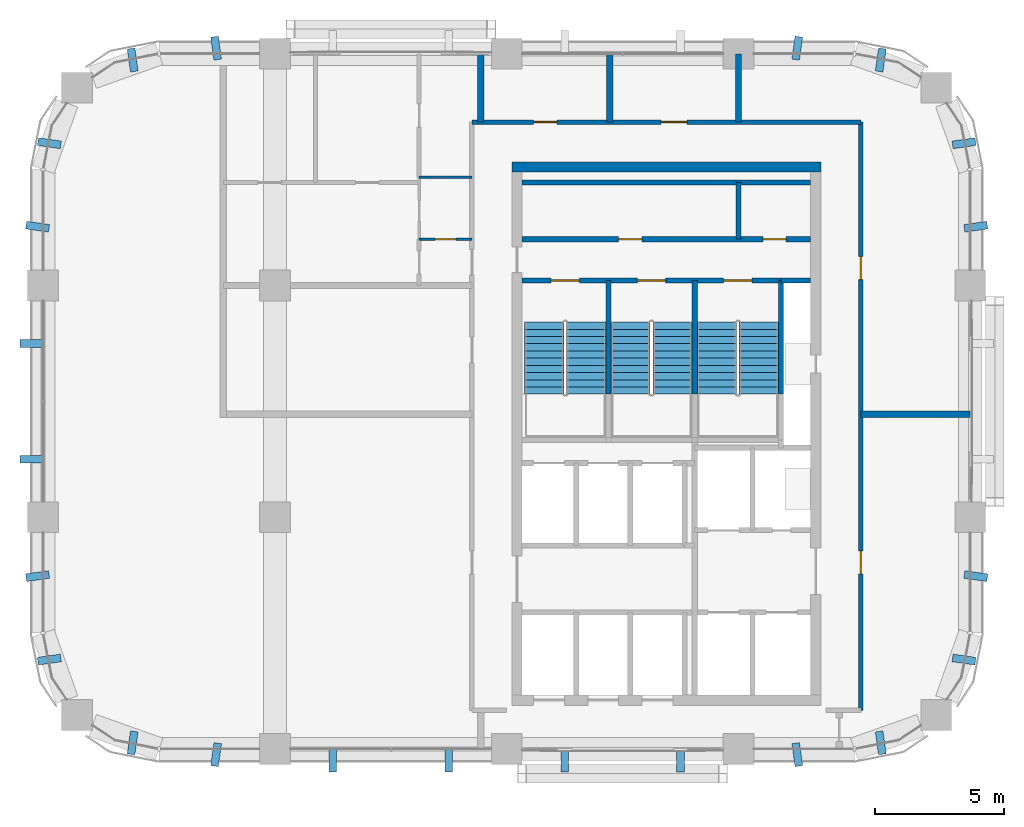
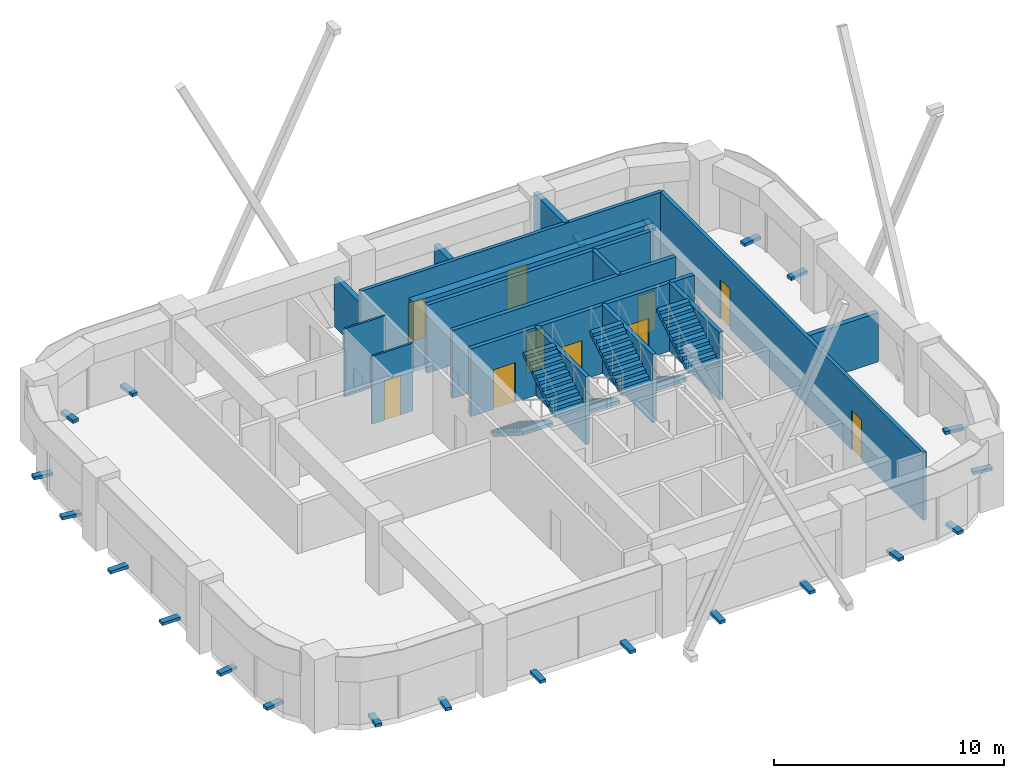
# One storey, part 8 of 10: 22 discrete accessories, 17 walls, 10 doors, 6 stair flights, 10 openings, 3 elements without a shape of their own.
"""IFC4 building model written with IfcOpenShell, lengths in metres."""

from ifc_helpers import new_model, si_unit, direction, frame, frame_2d, origin, origin_2d, place, context, subcontext, project, spatial, polyline, rectangle, outline, extrude, material, layer, layer_set, type_object, element, fill, aggregate, save


model = new_model("IFC4")

# Units and contexts
model_context = context("Model", 3, precision=1e-05, world=origin(), true_north=direction((0.0, 1.0)))
body_context = subcontext(model_context, "Body", "Model", "MODEL_VIEW")
ifc_project = project(units=[si_unit("LENGTHUNIT", "METRE"), si_unit("AREAUNIT", "SQUARE_METRE"), si_unit("VOLUMEUNIT", "CUBIC_METRE"), si_unit("PLANEANGLEUNIT", "RADIAN"), si_unit("MASSUNIT", "GRAM", prefix="KILO")], contexts=[model_context])

# Site, building, storey
site_placement = place(None, origin())
site = spatial("IfcSite", under=ifc_project, at=site_placement, CompositionType="ELEMENT")
building_placement = place(site_placement, origin())
building = spatial("IfcBuilding", under=site, at=building_placement, Name="Tessera Arch", CompositionType="ELEMENT")
storey_placement = place(building_placement, frame((0.0, 0.0, 265.699951171875)))
storey = spatial("IfcBuildingStorey", under=building, at=storey_placement, Name="L64", CompositionType="ELEMENT", Elevation=265.699951171875)

# Wall
ifc_material_1 = material(Name="Gypsum board on steel stud", Category="steel")
ifc_layer_1 = layer(ifc_material_1, 0.125)
ifc_layer_set_1 = layer_set([ifc_layer_1], Name="Core partition 125 EI 60")
wall_type_1 = type_object("IfcWallType", Name="Core partition 125 EI 60", PredefinedType="PARTITIONING", material=ifc_layer_set_1)
wall_1_placement = place(storey_placement, frame((45.0, 46.800048828125, 0.0), z_axis=(0.0, 0.0, 1.0), x_axis=(0.0, 1.0, 0.0)))
element("IfcWall", 1, at=wall_1_placement, inside=storey, type_object=wall_type_1, Name="L64 C1 partition wall 12", PredefinedType="PARTITIONING", context=body_context, shape_type="SweptSolid", body=[
    extrude(rectangle(XDim=2.199951171875, YDim=0.199951171875, at=frame_2d((1.10009765625, 0.0))), origin(), (0.0, 0.0, 1.0), 3.60009765625),
])

# Wall, openings, doors
wall_2_placement = place(storey_placement, frame((36.60009765625, 46.800048828125, 0.0), z_axis=(0.0, 0.0, 1.0), x_axis=(1.0, 0.0, 0.0)))
wall_2 = element("IfcWall", 2, at=wall_2_placement, inside=storey, type_object=wall_type_1, Name="L64 C1 partition wall 31", PredefinedType="PARTITIONING", context=body_context, shape_type="SweptSolid", body=[
    extrude(rectangle(XDim=11.199951171875, YDim=0.199951171875, at=frame_2d((5.60009765625, 0.0))), origin(), (0.0, 0.0, 1.0), 3.60009765625),
])
opening_1_placement = place(wall_2_placement, frame((3.75, 0.0, 0.0)))
opening_1 = element("IfcOpeningElement", 3, at=opening_1_placement, cuts=wall_2, Name="Opening L64-C18", PredefinedType="OPENING", context=body_context, shape_type="SweptSolid", body=[
    extrude(rectangle(XDim=0.89990234375, YDim=2.10009765625, at=frame_2d((0.449951171875, 1.050048828125))), frame((0.0, 0.10986328125, 0.0), z_axis=(0.0, -1.0, 0.0), x_axis=(1.0, 0.0, 0.0)), (0.0, 0.0, 1.0), 0.219970703125),
])
opening_2_placement = place(wall_2_placement, frame((9.35009765625, 0.0, 0.0)))
opening_2 = element("IfcOpeningElement", 4, at=opening_2_placement, cuts=wall_2, Name="Opening L64-C19", PredefinedType="OPENING", context=body_context, shape_type="SweptSolid", body=[
    extrude(rectangle(XDim=0.89990234375, YDim=2.10009765625, at=frame_2d((0.449951171875, 1.050048828125))), frame((0.0, 0.10986328125, 0.0), z_axis=(0.0, -1.0, 0.0), x_axis=(1.0, 0.0, 0.0)), (0.0, 0.0, 1.0), 0.219970703125),
])
ifc_material_2 = material(Name="Steel door leaf", Category="steel")
door_type_1 = type_object("IfcDoorType", Name="Store door FD30S 900 x 2100", OperationType="SINGLE_SWING_LEFT", PredefinedType="DOOR", material=ifc_material_2)
door_1_placement = place(opening_1_placement, origin())
door_1 = element("IfcDoor", 5, at=door_1_placement, inside=storey, type_object=door_type_1, Name="L64 C1 door 18 C18 type D09", OperationType="SINGLE_SWING_LEFT", OverallHeight=2.10009765625, OverallWidth=0.89990234375, PredefinedType="DOOR", context=body_context, shape_type="SweptSolid", body=[
    extrude(rectangle(XDim=0.89990234375, YDim=2.10009765625, at=frame_2d((0.449951171875, 1.050048828125))), frame((0.0, 0.02490234375, 0.0), z_axis=(0.0, -1.0, 0.0), x_axis=(1.0, 0.0, 0.0)), (0.0, 0.0, 1.0), 0.050048828125),
])
fill(opening_1, door_1)
door_2_placement = place(opening_2_placement, origin())
door_2 = element("IfcDoor", 6, at=door_2_placement, inside=storey, type_object=door_type_1, Name="L64 C1 door 19 C19 type D09", OperationType="SINGLE_SWING_RIGHT", OverallHeight=2.10009765625, OverallWidth=0.89990234375, PredefinedType="DOOR", context=body_context, shape_type="SweptSolid", body=[
    extrude(rectangle(XDim=0.89990234375, YDim=2.10009765625, at=frame_2d((0.449951171875, 1.050048828125))), frame((0.0, 0.02490234375, 0.0), z_axis=(0.0, -1.0, 0.0), x_axis=(1.0, 0.0, 0.0)), (0.0, 0.0, 1.0), 0.050048828125),
])
fill(opening_2, door_2)

# Walls
wall_3_placement = place(storey_placement, frame((36.60009765625, 49.0, 0.0), z_axis=(0.0, 0.0, 1.0), x_axis=(1.0, 0.0, 0.0)))
element("IfcWall", 7, at=wall_3_placement, inside=storey, type_object=wall_type_1, Name="L64 C1 partition wall 32", PredefinedType="PARTITIONING", context=body_context, shape_type="SweptSolid", body=[
    extrude(rectangle(XDim=11.199951171875, YDim=0.199951171875, at=frame_2d((5.60009765625, 0.0))), origin(), (0.0, 0.0, 1.0), 3.60009765625),
])
ifc_material_3 = material(Name="Concrete C50/60", Category="concrete")
ifc_layer_2 = layer(ifc_material_3, 0.39990234375)
ifc_layer_set_2 = layer_set([ifc_layer_2], Name="Core shell wall 400 C50-60")
wall_type_2 = type_object("IfcWallType", Name="Core shell wall 400 C50-60", PredefinedType="SHEAR", material=ifc_layer_set_2)
wall_4_placement = place(storey_placement, frame((36.199951171875, 49.60009765625, 0.0), z_axis=(0.0, 0.0, 1.0), x_axis=(1.0, 0.0, 0.0)))
element("IfcWall", 8, at=wall_4_placement, inside=storey, type_object=wall_type_2, Name="L64 C1 core wall N", PredefinedType="SHEAR", context=body_context, shape_type="SweptSolid", body=[
    extrude(rectangle(XDim=12.0, YDim=0.39990234375, at=frame_2d((6.0, 0.0))), origin(), (0.0, 0.0, 1.0), 3.60009765625),
])

# Wall, openings, doors
ifc_material_4 = material(Name="Gypsum board on deep steel stud with mineral wool", Category="steel")
ifc_layer_3 = layer(ifc_material_4, 0.175048828125)
ifc_layer_set_3 = layer_set([ifc_layer_3], Name="Corridor wall 175 EI 60")
wall_type_3 = type_object("IfcWallType", Name="Corridor wall 175 EI 60", PredefinedType="PARTITIONING", material=ifc_layer_set_3)
wall_5_placement = place(storey_placement, frame((34.64990234375, 51.35009765625, 0.0), z_axis=(0.0, 0.0, 1.0), x_axis=(1.0, 0.0, 0.0)))
wall_5 = element("IfcWall", 9, at=wall_5_placement, inside=storey, type_object=wall_type_3, Name="L64 partition 3", PredefinedType="PARTITIONING", context=body_context, shape_type="SweptSolid", body=[
    extrude(rectangle(XDim=15.10009765625, YDim=0.175048828125, at=frame_2d((7.550048828125, 0.0))), origin(), (0.0, 0.0, 1.0), 3.60009765625),
])
opening_3_placement = place(wall_5_placement, frame((2.39990234375, 0.0, 0.0)))
opening_3 = element("IfcOpeningElement", 10, at=opening_3_placement, cuts=wall_5, Name="Opening L64-D012", PredefinedType="OPENING", context=body_context, shape_type="SweptSolid", body=[
    extrude(rectangle(XDim=0.89990234375, YDim=2.10009765625, at=frame_2d((0.449951171875, 1.050048828125))), frame((0.0, 0.097412109375, 0.0), z_axis=(0.0, -1.0, 0.0), x_axis=(1.0, 0.0, 0.0)), (0.0, 0.0, 1.0), 0.195068359375),
])
opening_4_placement = place(wall_5_placement, frame((7.35009765625, 0.0, 0.0)))
opening_4 = element("IfcOpeningElement", 11, at=opening_4_placement, cuts=wall_5, Name="Opening L64-D013", PredefinedType="OPENING", context=body_context, shape_type="SweptSolid", body=[
    extrude(rectangle(XDim=1.0, YDim=2.10009765625, at=frame_2d((0.5, 1.050048828125))), frame((0.0, 0.097412109375, 0.0), z_axis=(0.0, -1.0, 0.0), x_axis=(1.0, 0.0, 0.0)), (0.0, 0.0, 1.0), 0.195068359375),
])
ifc_material_5 = material(Name="Fire-rated door leaf")
door_type_2 = type_object("IfcDoorType", Name="Entrance door FD30S 1000 x 2100", OperationType="SINGLE_SWING_LEFT", PredefinedType="DOOR", material=ifc_material_5)
door_3_placement = place(opening_4_placement, origin())
door_3 = element("IfcDoor", 12, at=door_3_placement, inside=storey, type_object=door_type_2, Name="L64 door D013 type D03", OperationType="SINGLE_SWING_RIGHT", OverallHeight=2.10009765625, OverallWidth=1.0, PredefinedType="DOOR", context=body_context, shape_type="SweptSolid", body=[
    extrude(rectangle(XDim=1.0, YDim=2.10009765625, at=frame_2d((0.5, 1.050048828125))), frame((0.0, 0.02490234375, 0.0), z_axis=(0.0, -1.0, 0.0), x_axis=(1.0, 0.0, 0.0)), (0.0, 0.0, 1.0), 0.050048828125),
])
fill(opening_4, door_3)
ifc_material_6 = material(Name="Timber door leaf", Category="wood")
door_type_3 = type_object("IfcDoorType", Name="Room door 900 x 2100", OperationType="SINGLE_SWING_LEFT", PredefinedType="DOOR", material=ifc_material_6)
door_4_placement = place(opening_3_placement, origin())
door_4 = element("IfcDoor", 13, at=door_4_placement, inside=storey, type_object=door_type_3, Name="L64 door D012 type D01", OperationType="SINGLE_SWING_LEFT", OverallHeight=2.10009765625, OverallWidth=0.89990234375, PredefinedType="DOOR", context=body_context, shape_type="SweptSolid", body=[
    extrude(rectangle(XDim=0.89990234375, YDim=2.10009765625, at=frame_2d((0.449951171875, 1.050048828125))), frame((0.0, 0.02490234375, 0.0), z_axis=(0.0, -1.0, 0.0), x_axis=(1.0, 0.0, 0.0)), (0.0, 0.0, 1.0), 0.050048828125),
])
fill(opening_3, door_4)

wall_6_placement = place(storey_placement, frame((49.75, 28.5, 0.0), z_axis=(0.0, 0.0, 1.0), x_axis=(0.0, 1.0, 0.0)))
wall_6 = element("IfcWall", 14, at=wall_6_placement, inside=storey, type_object=wall_type_3, Name="L64 partition 5", PredefinedType="PARTITIONING", context=body_context, shape_type="SweptSolid", body=[
    extrude(rectangle(XDim=22.85009765625, YDim=0.175048828125, at=frame_2d((11.425048828125, 0.0))), origin(), (0.0, 0.0, 1.0), 3.60009765625),
])
opening_5_placement = place(wall_6_placement, frame((5.300048828125, 0.0, 0.0)))
opening_5 = element("IfcOpeningElement", 15, at=opening_5_placement, cuts=wall_6, Name="Opening L64-D001", PredefinedType="OPENING", context=body_context, shape_type="SweptSolid", body=[
    extrude(rectangle(XDim=0.89990234375, YDim=2.10009765625, at=frame_2d((0.449951171875, 1.050048828125))), frame((0.0, 0.097412109375, 0.0), z_axis=(0.0, -1.0, 0.0), x_axis=(1.0, 0.0, 0.0)), (0.0, 0.0, 1.0), 0.195068359375),
])
opening_6_placement = place(wall_6_placement, frame((16.72509765625, 0.0, 0.0)))
opening_6 = element("IfcOpeningElement", 16, at=opening_6_placement, cuts=wall_6, Name="Opening L64-D004", PredefinedType="OPENING", context=body_context, shape_type="SweptSolid", body=[
    extrude(rectangle(XDim=0.89990234375, YDim=2.10009765625, at=frame_2d((0.449951171875, 1.050048828125))), frame((0.0, 0.097412109375, 0.0), z_axis=(0.0, -1.0, 0.0), x_axis=(1.0, 0.0, 0.0)), (0.0, 0.0, 1.0), 0.195068359375),
])
door_5_placement = place(opening_5_placement, origin())
door_5 = element("IfcDoor", 17, at=door_5_placement, inside=storey, type_object=door_type_3, Name="L64 door D001 type D01", OperationType="SINGLE_SWING_LEFT", OverallHeight=2.10009765625, OverallWidth=0.89990234375, PredefinedType="DOOR", context=body_context, shape_type="SweptSolid", body=[
    extrude(rectangle(XDim=0.89990234375, YDim=2.10009765625, at=frame_2d((0.449951171875, 1.050048828125))), frame((0.0, 0.02490234375, 0.0), z_axis=(0.0, -1.0, 0.0), x_axis=(1.0, 0.0, 0.0)), (0.0, 0.0, 1.0), 0.050048828125),
])
fill(opening_5, door_5)
door_6_placement = place(opening_6_placement, origin())
door_6 = element("IfcDoor", 18, at=door_6_placement, inside=storey, type_object=door_type_3, Name="L64 door D004 type D01", OperationType="SINGLE_SWING_RIGHT", OverallHeight=2.10009765625, OverallWidth=0.89990234375, PredefinedType="DOOR", context=body_context, shape_type="SweptSolid", body=[
    extrude(rectangle(XDim=0.89990234375, YDim=2.10009765625, at=frame_2d((0.449951171875, 1.050048828125))), frame((0.0, 0.02490234375, 0.0), z_axis=(0.0, -1.0, 0.0), x_axis=(1.0, 0.0, 0.0)), (0.0, 0.0, 1.0), 0.050048828125),
])
fill(opening_6, door_6)

# Walls
ifc_material_7 = material(Name="Double gypsum board on twin steel stud with acoustic mineral wool", Category="steel")
ifc_layer_4 = layer(ifc_material_7, 0.25)
ifc_layer_set_4 = layer_set([ifc_layer_4], Name="Party wall 250 EI 60")
wall_type_4 = type_object("IfcWallType", Name="Party wall 250 EI 60", PredefinedType="PARTITIONING", material=ifc_layer_set_4)
wall_7_placement = place(storey_placement, frame((49.75, 40.0, 0.0), z_axis=(0.0, 0.0, 1.0), x_axis=(1.0, 0.0, 0.0)))
element("IfcWall", 19, at=wall_7_placement, inside=storey, type_object=wall_type_4, Name="L64 partition 11", PredefinedType="PARTITIONING", context=body_context, shape_type="SweptSolid", body=[
    extrude(rectangle(XDim=4.25, YDim=0.25, at=frame_2d((2.125, 0.0))), origin(), (0.0, 0.0, 1.0), 2.60009765625),
])
for number, where, z_axis, x_axis, name in (
    (20, (35.0, 51.35009765625, 0.0), (0.0, 0.0, 1.0), (0.0, 1.0, 0.0), "L64 partition 15"),
    (21, (40.0, 51.35009765625, 0.0), (0.0, 0.0, 1.0), (0.0, 1.0, 0.0), "L64 partition 16"),
):
    element("IfcWall", number, at=place(storey_placement, frame(where, z_axis=z_axis, x_axis=x_axis)), inside=storey, type_object=wall_type_4, Name=name, PredefinedType="PARTITIONING", context=body_context, shape_type="SweptSolid", body=[
        extrude(rectangle(XDim=2.64990234375, YDim=0.25, at=frame_2d((1.324951171875, 0.0))), origin(), (0.0, 0.0, 1.0), 2.60009765625),
    ])
wall_8_placement = place(storey_placement, frame((45.0, 51.35009765625, 0.0), z_axis=(0.0, 0.0, 1.0), x_axis=(0.0, 1.0, 0.0)))
element("IfcWall", 22, at=wall_8_placement, inside=storey, type_object=wall_type_4, Name="L64 partition 17", PredefinedType="PARTITIONING", context=body_context, shape_type="SweptSolid", body=[
    extrude(rectangle(XDim=2.64990234375, YDim=0.25, at=frame_2d((1.324951171875, 0.0))), origin(), (0.0, 0.0, 1.0), 3.60009765625),
])
ifc_material_8 = material(Name="Concrete C40/50", Category="concrete")
ifc_layer_5 = layer(ifc_material_8, 0.199951171875)
ifc_layer_set_5 = layer_set([ifc_layer_5], Name="Shaft wall 200 EI 120")
wall_type_5 = type_object("IfcWallType", Name="Shaft wall 200 EI 120", PredefinedType="SOLIDWALL", material=ifc_layer_set_5)
wall_9_placement = place(storey_placement, frame((46.64990234375, 45.199951171875, 0.0), z_axis=(0.0, 0.0, 1.0), x_axis=(1.0, 0.0, 0.0)))
element("IfcWall", 23, at=wall_9_placement, inside=storey, type_object=wall_type_5, Name="L64 C1 shaft wall 29", PredefinedType="SOLIDWALL", context=body_context, shape_type="SweptSolid", body=[
    extrude(rectangle(XDim=1.150146484375, YDim=0.199951171875, at=frame_2d((0.5751953125, 0.0))), origin(), (0.0, 0.0, 1.0), 3.60009765625),
])
ifc_material_9 = material(Name="Concrete C40/50", Category="concrete")
ifc_layer_6 = layer(ifc_material_9, 0.199951171875)
ifc_layer_set_6 = layer_set([ifc_layer_6], Name="Stair well wall 200 REI 180")
wall_type_6 = type_object("IfcWallType", Name="Stair well wall 200 REI 180", PredefinedType="SOLIDWALL", material=ifc_layer_set_6)
for number, where, z_axis, x_axis, name in (
    (24, (39.949951171875, 40.780029296875, 0.0), (0.0, 0.0, 1.0), (0.0, 1.0, 0.0), "L64 C1 shaft wall 4"),
    (25, (43.300048828125, 40.780029296875, 0.0), (0.0, 0.0, 1.0), (0.0, 1.0, 0.0), "L64 C1 shaft wall 11"),
    (26, (46.64990234375, 40.780029296875, 0.0), (0.0, 0.0, 1.0), (0.0, 1.0, 0.0), "L64 C1 shaft wall 17"),
):
    element("IfcWall", number, at=place(storey_placement, frame(where, z_axis=z_axis, x_axis=x_axis)), inside=storey, type_object=wall_type_6, Name=name, PredefinedType="SOLIDWALL", context=body_context, shape_type="SweptSolid", body=[
        extrude(rectangle(XDim=4.419921875, YDim=0.199951171875, at=frame_2d((2.2099609375, 0.0))), origin(), (0.0, 0.0, 1.0), 3.60009765625),
    ])

# Wall, openings, doors
wall_10_placement = place(storey_placement, frame((36.60009765625, 45.199951171875, 0.0), z_axis=(0.0, 0.0, 1.0), x_axis=(1.0, 0.0, 0.0)))
wall_10 = element("IfcWall", 27, at=wall_10_placement, inside=storey, type_object=wall_type_6, Name="L64 C1 shaft wall 30", PredefinedType="SOLIDWALL", context=body_context, shape_type="SweptSolid", body=[
    extrude(rectangle(XDim=10.0498046875, YDim=0.199951171875, at=frame_2d((5.02490234375, 0.0))), origin(), (0.0, 0.0, 1.0), 3.60009765625),
])
opening_7_placement = place(wall_10_placement, frame((1.125, 0.0, 0.0)))
opening_7 = element("IfcOpeningElement", 28, at=opening_7_placement, cuts=wall_10, Name="Opening L64-C11", PredefinedType="OPENING", context=body_context, shape_type="SweptSolid", body=[
    extrude(rectangle(XDim=1.10009765625, YDim=2.10009765625, at=frame_2d((0.550048828125, 1.050048828125))), frame((0.0, 0.10986328125, 0.0), z_axis=(0.0, -1.0, 0.0), x_axis=(1.0, 0.0, 0.0)), (0.0, 0.0, 1.0), 0.219970703125),
])
opening_8_placement = place(wall_10_placement, frame((4.47509765625, 0.0, 0.0)))
opening_8 = element("IfcOpeningElement", 29, at=opening_8_placement, cuts=wall_10, Name="Opening L64-C12", PredefinedType="OPENING", context=body_context, shape_type="SweptSolid", body=[
    extrude(rectangle(XDim=1.10009765625, YDim=2.10009765625, at=frame_2d((0.550048828125, 1.050048828125))), frame((0.0, 0.10986328125, 0.0), z_axis=(0.0, -1.0, 0.0), x_axis=(1.0, 0.0, 0.0)), (0.0, 0.0, 1.0), 0.219970703125),
])
opening_9_placement = place(wall_10_placement, frame((7.824951171875, 0.0, 0.0)))
opening_9 = element("IfcOpeningElement", 30, at=opening_9_placement, cuts=wall_10, Name="Opening L64-C13", PredefinedType="OPENING", context=body_context, shape_type="SweptSolid", body=[
    extrude(rectangle(XDim=1.10009765625, YDim=2.10009765625, at=frame_2d((0.550048828125, 1.050048828125))), frame((0.0, 0.10986328125, 0.0), z_axis=(0.0, -1.0, 0.0), x_axis=(1.0, 0.0, 0.0)), (0.0, 0.0, 1.0), 0.219970703125),
])
ifc_material_10 = material(Name="Steel door leaf", Category="steel")
door_type_4 = type_object("IfcDoorType", Name="Stair door FD60 1100 x 2100", OperationType="SINGLE_SWING_LEFT", PredefinedType="DOOR", material=ifc_material_10)
door_7_placement = place(opening_7_placement, origin())
door_7 = element("IfcDoor", 31, at=door_7_placement, inside=storey, type_object=door_type_4, Name="L64 C1 door 11 C11 type D05", OperationType="SINGLE_SWING_LEFT", OverallHeight=2.10009765625, OverallWidth=1.10009765625, PredefinedType="DOOR", context=body_context, shape_type="SweptSolid", body=[
    extrude(rectangle(XDim=1.10009765625, YDim=2.10009765625, at=frame_2d((0.550048828125, 1.050048828125))), frame((0.0, 0.02490234375, 0.0), z_axis=(0.0, -1.0, 0.0), x_axis=(1.0, 0.0, 0.0)), (0.0, 0.0, 1.0), 0.050048828125),
])
fill(opening_7, door_7)
door_8_placement = place(opening_8_placement, origin())
door_8 = element("IfcDoor", 32, at=door_8_placement, inside=storey, type_object=door_type_4, Name="L64 C1 door 12 C12 type D05", OperationType="SINGLE_SWING_RIGHT", OverallHeight=2.10009765625, OverallWidth=1.10009765625, PredefinedType="DOOR", context=body_context, shape_type="SweptSolid", body=[
    extrude(rectangle(XDim=1.10009765625, YDim=2.10009765625, at=frame_2d((0.550048828125, 1.050048828125))), frame((0.0, 0.02490234375, 0.0), z_axis=(0.0, -1.0, 0.0), x_axis=(1.0, 0.0, 0.0)), (0.0, 0.0, 1.0), 0.050048828125),
])
fill(opening_8, door_8)
door_9_placement = place(opening_9_placement, origin())
door_9 = element("IfcDoor", 33, at=door_9_placement, inside=storey, type_object=door_type_4, Name="L64 C1 door 13 C13 type D05", OperationType="SINGLE_SWING_RIGHT", OverallHeight=2.10009765625, OverallWidth=1.10009765625, PredefinedType="DOOR", context=body_context, shape_type="SweptSolid", body=[
    extrude(rectangle(XDim=1.10009765625, YDim=2.10009765625, at=frame_2d((0.550048828125, 1.050048828125))), frame((0.0, 0.02490234375, 0.0), z_axis=(0.0, -1.0, 0.0), x_axis=(1.0, 0.0, 0.0)), (0.0, 0.0, 1.0), 0.050048828125),
])
fill(opening_9, door_9)

# Wall, opening, door
ifc_material_11 = material(Name="Moisture-resistant board on pre-plumbed steel stud", Category="steel")
ifc_layer_7 = layer(ifc_material_11, 0.10009765625)
ifc_layer_set_7 = layer_set([ifc_layer_7], Name="Wet wall 100")
wall_type_7 = type_object("IfcWallType", Name="Wet wall 100", PredefinedType="PARTITIONING", material=ifc_layer_set_7)
wall_11_placement = place(storey_placement, frame((32.60009765625, 46.800048828125, 0.0), z_axis=(0.0, 0.0, 1.0), x_axis=(1.0, 0.0, 0.0)))
wall_11 = element("IfcWall", 34, at=wall_11_placement, inside=storey, type_object=wall_type_7, Name="L64 partition 19", PredefinedType="PARTITIONING", context=body_context, shape_type="SweptSolid", body=[
    extrude(rectangle(XDim=2.0498046875, YDim=0.10009765625, at=frame_2d((1.02490234375, 0.0))), origin(), (0.0, 0.0, 1.0), 3.60009765625),
])
opening_10_placement = place(wall_11_placement, frame((0.625, 0.0, 0.0)))
opening_10 = element("IfcOpeningElement", 35, at=opening_10_placement, cuts=wall_11, Name="Opening L64-D007", PredefinedType="OPENING", context=body_context, shape_type="SweptSolid", body=[
    extrude(rectangle(XDim=0.800048828125, YDim=2.10009765625, at=frame_2d((0.39990234375, 1.050048828125))), frame((0.0, 0.06005859375, 0.0), z_axis=(0.0, -1.0, 0.0), x_axis=(1.0, 0.0, 0.0)), (0.0, 0.0, 1.0), 0.1201171875),
])
ifc_material_12 = material(Name="Timber door leaf", Category="wood")
door_type_5 = type_object("IfcDoorType", Name="En-suite door 800 x 2100", OperationType="SINGLE_SWING_LEFT", PredefinedType="DOOR", material=ifc_material_12)
door_10_placement = place(opening_10_placement, origin())
door_10 = element("IfcDoor", 36, at=door_10_placement, inside=storey, type_object=door_type_5, Name="L64 door D007 type D02", OperationType="SINGLE_SWING_RIGHT", OverallHeight=2.10009765625, OverallWidth=0.800048828125, PredefinedType="DOOR", context=body_context, shape_type="SweptSolid", body=[
    extrude(rectangle(XDim=0.800048828125, YDim=2.10009765625, at=frame_2d((0.39990234375, 1.050048828125))), frame((0.0, 0.02490234375, 0.0), z_axis=(0.0, -1.0, 0.0), x_axis=(1.0, 0.0, 0.0)), (0.0, 0.0, 1.0), 0.050048828125),
])
fill(opening_10, door_10)

# Wall
wall_12_placement = place(storey_placement, frame((32.60009765625, 49.199951171875, 0.0), z_axis=(0.0, 0.0, 1.0), x_axis=(1.0, 0.0, 0.0)))
element("IfcWall", 37, at=wall_12_placement, inside=storey, type_object=wall_type_7, Name="L64 partition 20", PredefinedType="PARTITIONING", context=body_context, shape_type="SweptSolid", body=[
    extrude(rectangle(XDim=2.0498046875, YDim=0.10009765625, at=frame_2d((1.02490234375, 0.0))), origin(), (0.0, 0.0, 1.0), 3.60009765625),
])

# Stair, stair flights
ifc_material_13 = material(Name="Concrete C40/50", Category="concrete")
stair_type = type_object("IfcStairType", Name="Dogleg stair 1520", PredefinedType="HALF_TURN_STAIR", material=ifc_material_13)
stair_1_placement = place(storey_placement, origin())
stair_1 = element("IfcStair", 38, at=stair_1_placement, inside=storey, type_object=stair_type, Name="L64 S1a", PredefinedType="HALF_TURN_STAIR")
ifc_material_14 = material(Name="Concrete C40/50", Category="concrete")
stair_flight_type = type_object("IfcStairFlightType", Name="Stair flight 1520", PredefinedType="STRAIGHT", material=ifc_material_14)
stair_flight_1_placement = place(storey_placement, frame((37.4599609375, 43.580078125, 0.0), z_axis=(0.0, 0.0, 1.0), x_axis=(0.0, -1.0, 0.0)))
stair_flight_1 = element("IfcStairFlight", 39, at=stair_flight_1_placement, type_object=stair_flight_type, Name="S1a flight 1", NumberOfRisers=11, NumberOfTreads=10, PredefinedType="STRAIGHT", RiserHeight=0.177272727, TreadLength=0.28, context=body_context, shape_type="SweptSolid", body=[
    extrude(outline(polyline([(0.0, 0.0), (0.0, 0.17724609375), (0.280029296875, 0.17724609375), (0.280029296875, 0.3544921875), (0.56005859375, 0.3544921875), (0.56005859375, 0.53173828125), (0.840087890625, 0.53173828125), (0.840087890625, 0.708984375), (1.1201171875, 0.708984375), (1.1201171875, 0.886474609375), (1.39990234375, 0.886474609375), (1.39990234375, 1.063720703125), (1.679931640625, 1.063720703125), (1.679931640625, 1.240966796875), (1.9599609375, 1.240966796875), (1.9599609375, 1.418212890625), (2.239990234375, 1.418212890625), (2.239990234375, 1.595458984375), (2.52001953125, 1.595458984375), (2.52001953125, 1.772705078125), (2.800048828125, 1.772705078125), (2.800048828125, 1.949951171875), (2.800048828125, 1.59521484375), (0.2802734375, 0.0), (0.0, 0.0)])), frame((0.0, 0.760009765625, 0.0), z_axis=(0.0, -1.0, 0.0), x_axis=(1.0, 0.0, 0.0)), (0.0, 0.0, 1.0), 1.52001953125),
])
stair_flight_2_placement = place(storey_placement, frame((39.090087890625, 40.780029296875, 1.949951171875), z_axis=(0.0, 0.0, 1.0), x_axis=(0.0, 1.0, 0.0)))
stair_flight_2 = element("IfcStairFlight", 40, at=stair_flight_2_placement, type_object=stair_flight_type, Name="S1a flight 2", NumberOfRisers=11, NumberOfTreads=10, PredefinedType="STRAIGHT", RiserHeight=0.177272727, TreadLength=0.28, context=body_context, shape_type="SweptSolid", body=[
    extrude(outline(polyline([(0.0, 0.0), (0.0, 0.17724609375), (0.280029296875, 0.17724609375), (0.280029296875, 0.3544921875), (0.56005859375, 0.3544921875), (0.56005859375, 0.53173828125), (0.840087890625, 0.53173828125), (0.840087890625, 0.708984375), (1.1201171875, 0.708984375), (1.1201171875, 0.886474609375), (1.39990234375, 0.886474609375), (1.39990234375, 1.063720703125), (1.679931640625, 1.063720703125), (1.679931640625, 1.240966796875), (1.9599609375, 1.240966796875), (1.9599609375, 1.418212890625), (2.239990234375, 1.418212890625), (2.239990234375, 1.595458984375), (2.52001953125, 1.595458984375), (2.52001953125, 1.772705078125), (2.800048828125, 1.772705078125), (2.800048828125, 1.949951171875), (2.800048828125, 1.59521484375), (0.2802734375, 0.0), (0.0, 0.0)])), frame((0.0, 0.760009765625, 0.0), z_axis=(0.0, -1.0, 0.0), x_axis=(1.0, 0.0, 0.0)), (0.0, 0.0, 1.0), 1.52001953125),
])
aggregate(stair_1, [stair_flight_1, stair_flight_2])

stair_2_placement = place(storey_placement, origin())
stair_2 = element("IfcStair", 41, at=stair_2_placement, inside=storey, type_object=stair_type, Name="L64 S1b", PredefinedType="HALF_TURN_STAIR")
stair_flight_3_placement = place(storey_placement, frame((40.81005859375, 43.580078125, 0.0), z_axis=(0.0, 0.0, 1.0), x_axis=(0.0, -1.0, 0.0)))
stair_flight_3 = element("IfcStairFlight", 42, at=stair_flight_3_placement, type_object=stair_flight_type, Name="S1b flight 1", NumberOfRisers=11, NumberOfTreads=10, PredefinedType="STRAIGHT", RiserHeight=0.177272727, TreadLength=0.28, context=body_context, shape_type="SweptSolid", body=[
    extrude(outline(polyline([(0.0, 0.0), (0.0, 0.17724609375), (0.280029296875, 0.17724609375), (0.280029296875, 0.3544921875), (0.56005859375, 0.3544921875), (0.56005859375, 0.53173828125), (0.840087890625, 0.53173828125), (0.840087890625, 0.708984375), (1.1201171875, 0.708984375), (1.1201171875, 0.886474609375), (1.39990234375, 0.886474609375), (1.39990234375, 1.063720703125), (1.679931640625, 1.063720703125), (1.679931640625, 1.240966796875), (1.9599609375, 1.240966796875), (1.9599609375, 1.418212890625), (2.239990234375, 1.418212890625), (2.239990234375, 1.595458984375), (2.52001953125, 1.595458984375), (2.52001953125, 1.772705078125), (2.800048828125, 1.772705078125), (2.800048828125, 1.949951171875), (2.800048828125, 1.59521484375), (0.2802734375, 0.0), (0.0, 0.0)])), frame((0.0, 0.760009765625, 0.0), z_axis=(0.0, -1.0, 0.0), x_axis=(1.0, 0.0, 0.0)), (0.0, 0.0, 1.0), 1.52001953125),
])
stair_flight_4_placement = place(storey_placement, frame((42.43994140625, 40.780029296875, 1.949951171875), z_axis=(0.0, 0.0, 1.0), x_axis=(0.0, 1.0, 0.0)))
stair_flight_4 = element("IfcStairFlight", 43, at=stair_flight_4_placement, type_object=stair_flight_type, Name="S1b flight 2", NumberOfRisers=11, NumberOfTreads=10, PredefinedType="STRAIGHT", RiserHeight=0.177272727, TreadLength=0.28, context=body_context, shape_type="SweptSolid", body=[
    extrude(outline(polyline([(0.0, 0.0), (0.0, 0.17724609375), (0.280029296875, 0.17724609375), (0.280029296875, 0.3544921875), (0.56005859375, 0.3544921875), (0.56005859375, 0.53173828125), (0.840087890625, 0.53173828125), (0.840087890625, 0.708984375), (1.1201171875, 0.708984375), (1.1201171875, 0.886474609375), (1.39990234375, 0.886474609375), (1.39990234375, 1.063720703125), (1.679931640625, 1.063720703125), (1.679931640625, 1.240966796875), (1.9599609375, 1.240966796875), (1.9599609375, 1.418212890625), (2.239990234375, 1.418212890625), (2.239990234375, 1.595458984375), (2.52001953125, 1.595458984375), (2.52001953125, 1.772705078125), (2.800048828125, 1.772705078125), (2.800048828125, 1.949951171875), (2.800048828125, 1.59521484375), (0.2802734375, 0.0), (0.0, 0.0)])), frame((0.0, 0.760009765625, 0.0), z_axis=(0.0, -1.0, 0.0), x_axis=(1.0, 0.0, 0.0)), (0.0, 0.0, 1.0), 1.52001953125),
])
aggregate(stair_2, [stair_flight_3, stair_flight_4])

stair_3_placement = place(storey_placement, origin())
stair_3 = element("IfcStair", 44, at=stair_3_placement, inside=storey, type_object=stair_type, Name="L64 S1c", PredefinedType="HALF_TURN_STAIR")
stair_flight_5_placement = place(storey_placement, frame((44.159912109375, 43.580078125, 0.0), z_axis=(0.0, 0.0, 1.0), x_axis=(0.0, -1.0, 0.0)))
stair_flight_5 = element("IfcStairFlight", 45, at=stair_flight_5_placement, type_object=stair_flight_type, Name="S1c flight 1", NumberOfRisers=11, NumberOfTreads=10, PredefinedType="STRAIGHT", RiserHeight=0.177272727, TreadLength=0.28, context=body_context, shape_type="SweptSolid", body=[
    extrude(outline(polyline([(0.0, 0.0), (0.0, 0.17724609375), (0.280029296875, 0.17724609375), (0.280029296875, 0.3544921875), (0.56005859375, 0.3544921875), (0.56005859375, 0.53173828125), (0.840087890625, 0.53173828125), (0.840087890625, 0.708984375), (1.1201171875, 0.708984375), (1.1201171875, 0.886474609375), (1.39990234375, 0.886474609375), (1.39990234375, 1.063720703125), (1.679931640625, 1.063720703125), (1.679931640625, 1.240966796875), (1.9599609375, 1.240966796875), (1.9599609375, 1.418212890625), (2.239990234375, 1.418212890625), (2.239990234375, 1.595458984375), (2.52001953125, 1.595458984375), (2.52001953125, 1.772705078125), (2.800048828125, 1.772705078125), (2.800048828125, 1.949951171875), (2.800048828125, 1.59521484375), (0.2802734375, 0.0), (0.0, 0.0)])), frame((0.0, 0.760009765625, 0.0), z_axis=(0.0, -1.0, 0.0), x_axis=(1.0, 0.0, 0.0)), (0.0, 0.0, 1.0), 1.52001953125),
])
stair_flight_6_placement = place(storey_placement, frame((45.7900390625, 40.780029296875, 1.949951171875), z_axis=(0.0, 0.0, 1.0), x_axis=(0.0, 1.0, 0.0)))
stair_flight_6 = element("IfcStairFlight", 46, at=stair_flight_6_placement, type_object=stair_flight_type, Name="S1c flight 2", NumberOfRisers=11, NumberOfTreads=10, PredefinedType="STRAIGHT", RiserHeight=0.177272727, TreadLength=0.28, context=body_context, shape_type="SweptSolid", body=[
    extrude(outline(polyline([(0.0, 0.0), (0.0, 0.17724609375), (0.280029296875, 0.17724609375), (0.280029296875, 0.3544921875), (0.56005859375, 0.3544921875), (0.56005859375, 0.53173828125), (0.840087890625, 0.53173828125), (0.840087890625, 0.708984375), (1.1201171875, 0.708984375), (1.1201171875, 0.886474609375), (1.39990234375, 0.886474609375), (1.39990234375, 1.063720703125), (1.679931640625, 1.063720703125), (1.679931640625, 1.240966796875), (1.9599609375, 1.240966796875), (1.9599609375, 1.418212890625), (2.239990234375, 1.418212890625), (2.239990234375, 1.595458984375), (2.52001953125, 1.595458984375), (2.52001953125, 1.772705078125), (2.800048828125, 1.772705078125), (2.800048828125, 1.949951171875), (2.800048828125, 1.59521484375), (0.2802734375, 0.0), (0.0, 0.0)])), frame((0.0, 0.760009765625, 0.0), z_axis=(0.0, -1.0, 0.0), x_axis=(1.0, 0.0, 0.0)), (0.0, 0.0, 1.0), 1.52001953125),
])
aggregate(stair_3, [stair_flight_5, stair_flight_6])

# Discrete accessories
for number, where, z_axis, x_axis, name in (
    (47, (54.21630859375, 47.283447265625, 0.0), (0.0, 0.0, 1.0), (0.99013890656, 0.140089063515, 0.0), "Screen panel bracket"),
    (48, (53.7578125, 50.5244140625, 0.0), (0.0, 0.0, 1.0), (0.99013890656, 0.140089063515, 0.0), "Screen panel bracket"),
    (49, (50.5244140625, 53.7578125, 0.0), (0.0, 0.0, 1.0), (0.140089063515, 0.99013890656, 0.0), "Screen panel bracket"),
    (50, (47.283447265625, 54.21630859375, 0.0), (0.0, 0.0, 1.0), (0.140089063515, 0.99013890656, 0.0), "Screen panel bracket"),
    (51, (24.716552734375, 54.21630859375, 0.0), (0.0, 0.0, 1.0), (-0.140089063515, 0.99013890656, 0.0), "Screen panel bracket"),
    (52, (21.4755859375, 53.7578125, 0.0), (0.0, 0.0, 1.0), (-0.140089063515, 0.99013890656, 0.0), "Screen panel bracket"),
    (53, (18.2421875, 50.5244140625, 0.0), (0.0, 0.0, 1.0), (-0.99013890656, 0.140089063515, 0.0), "Screen panel bracket"),
    (54, (17.78369140625, 47.283447265625, 0.0), (0.0, 0.0, 1.0), (-0.99013890656, 0.140089063515, 0.0), "Screen panel bracket"),
    (55, (17.550048828125, 42.75, 0.0), (0.0, 0.0, 1.0), (-1.0, 0.0, 0.0), "Screen panel bracket"),
    (56, (17.550048828125, 38.25, 0.0), (0.0, 0.0, 1.0), (-1.0, 0.0, 0.0), "Screen panel bracket"),
    (57, (17.78369140625, 33.716552734375, 0.0), (0.0, 0.0, 1.0), (-0.99013890656, -0.140089063515, 0.0), "Screen panel bracket"),
    (58, (18.2421875, 30.4755859375, 0.0), (0.0, 0.0, 1.0), (-0.99013890656, -0.140089063515, 0.0), "Screen panel bracket"),
    (59, (21.4755859375, 27.2421875, 0.0), (0.0, 0.0, 1.0), (-0.140089063515, -0.99013890656, 0.0), "Screen panel bracket"),
    (60, (24.716552734375, 26.78369140625, 0.0), (0.0, 0.0, 1.0), (-0.140089063515, -0.99013890656, 0.0), "Screen panel bracket"),
    (61, (29.25, 26.550048828125, 0.0), (0.0, 0.0, 1.0), (0.0, -1.0, 0.0), "Screen panel bracket"),
    (62, (33.75, 26.550048828125, 0.0), (0.0, 0.0, 1.0), (0.0, -1.0, 0.0), "Screen panel bracket"),
    (63, (38.25, 26.550048828125, 0.0), (0.0, 0.0, 1.0), (0.0, -1.0, 0.0), "Screen panel bracket"),
    (64, (42.75, 26.550048828125, 0.0), (0.0, 0.0, 1.0), (0.0, -1.0, 0.0), "Screen panel bracket"),
    (65, (47.283447265625, 26.78369140625, 0.0), (0.0, 0.0, 1.0), (0.140089063515, -0.99013890656, 0.0), "Screen panel bracket"),
    (66, (50.5244140625, 27.2421875, 0.0), (0.0, 0.0, 1.0), (0.140089063515, -0.99013890656, 0.0), "Screen panel bracket"),
    (67, (53.7578125, 30.4755859375, 0.0), (0.0, 0.0, 1.0), (0.99013890656, -0.140089063515, 0.0), "Screen panel bracket"),
    (68, (54.21630859375, 33.716552734375, 0.0), (0.0, 0.0, 1.0), (0.99013890656, -0.140089063515, 0.0), "Screen panel bracket"),
):
    element("IfcDiscreteAccessory", number, at=place(storey_placement, frame(where, z_axis=z_axis, x_axis=x_axis)), inside=storey, Name=name, PredefinedType="BRACKET", context=body_context, shape_type="SweptSolid", body=[
        extrude(rectangle(XDim=0.89990234375, YDim=0.300048828125, at=origin_2d()), origin(), (0.0, 0.0, 1.0), 0.159912109375),
    ])

save(model, "model.ifc")
